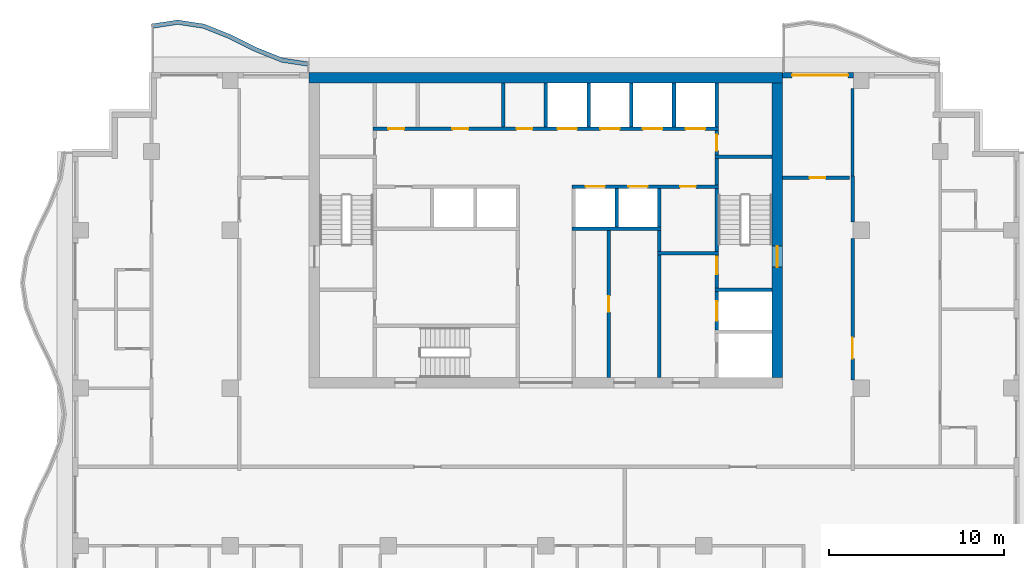
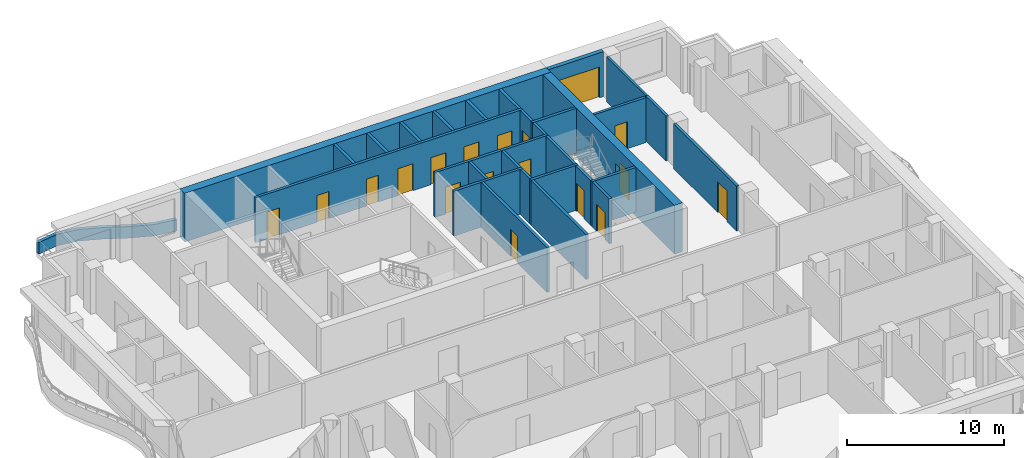
# One storey, part 6 of 12: 30 walls, 18 doors, 18 openings.
"""IFC4 building model written with IfcOpenShell, lengths in metres."""

from ifc_helpers import new_model, si_unit, direction, frame, frame_2d, origin, place, context, subcontext, project, spatial, polyline, rectangle, outline, extrude, material, layer, layer_set, type_object, element, fill, save


model = new_model("IFC4")

# Units and contexts
model_context = context("Model", 3, precision=1e-05, world=origin(), true_north=direction((0.0, 1.0)))
body_context = subcontext(model_context, "Body", "Model", "MODEL_VIEW")
ifc_project = project(units=[si_unit("LENGTHUNIT", "METRE"), si_unit("AREAUNIT", "SQUARE_METRE"), si_unit("VOLUMEUNIT", "CUBIC_METRE"), si_unit("PLANEANGLEUNIT", "RADIAN"), si_unit("MASSUNIT", "GRAM", prefix="KILO")], contexts=[model_context])

# Site, building, storey
site_placement = place(None, origin())
site = spatial("IfcSite", under=ifc_project, at=site_placement, CompositionType="ELEMENT")
building_placement = place(site_placement, origin())
building = spatial("IfcBuilding", under=site, at=building_placement, Name="Orbiselva Terraces", CompositionType="ELEMENT")
storey_placement = place(building_placement, frame((0.0, 0.0, 265.4)))
storey = spatial("IfcBuildingStorey", under=building, at=storey_placement, Name="L67", CompositionType="ELEMENT", Elevation=265.4)

# Wall, opening, door
ifc_material_1 = material(Name="Concrete C80/95", Category="concrete")
ifc_layer_1 = layer(ifc_material_1, 0.6)
ifc_layer_set_1 = layer_set([ifc_layer_1], Name="Concrete C80/95")
wall_type_1 = type_object("IfcWallType", Name="CORE WALL 600", PredefinedType="SHEAR", material=ifc_layer_set_1)
wall_1_placement = place(storey_placement, frame((13.2, 5.1, -0.3), z_axis=(0.0, 0.0, 1.0), x_axis=(0.0, 1.0, 0.0)))
wall_1 = element("IfcWall", 1, at=wall_1_placement, inside=storey, type_object=wall_type_1, Name="Core wall L67 east", PredefinedType="SHEAR", context=body_context, shape_type="SweptSolid", body=[
    extrude(rectangle(XDim=16.8, YDim=0.6, at=frame_2d((8.4, 0.0))), origin(), (0.0, 0.0, 1.0), 3.8),
])
opening_1_placement = place(wall_1_placement, frame((6.3, 0.0, 0.3)))
opening_1 = element("IfcOpeningElement", 2, at=opening_1_placement, cuts=wall_1, Name="Opening DS1200", PredefinedType="OPENING", context=body_context, shape_type="SweptSolid", body=[
    extrude(rectangle(XDim=1.2, YDim=2.2, at=frame_2d((0.6, 1.1))), frame((0.0, 0.31, 0.0), z_axis=(0.0, -1.0, 0.0), x_axis=(1.0, 0.0, 0.0)), (0.0, 0.0, 1.0), 0.62),
])
ifc_material_2 = material(Name="Steel fire door", Category="steel")
door_type_1 = type_object("IfcDoorType", Name="STAIR DOOR 1200", OperationType="NOTDEFINED", PredefinedType="DOOR", material=ifc_material_2)
door_1_placement = place(opening_1_placement, frame((1.2, 0.0, 0.0), z_axis=(0.0, 0.0, 1.0), x_axis=(-1.0, 0.0, 0.0)))
door_1 = element("IfcDoor", 3, at=door_1_placement, inside=storey, type_object=door_type_1, Name="L67 EXIT STAIR S2 door", OperationType="SINGLE_SWING_LEFT", OverallHeight=2.2, OverallWidth=1.2, PredefinedType="DOOR", context=body_context, shape_type="SweptSolid", body=[
    extrude(rectangle(XDim=1.2, YDim=2.2, at=frame_2d((0.6, 1.1))), frame((0.0, 0.025, 0.0), z_axis=(0.0, -1.0, 0.0), x_axis=(1.0, 0.0, 0.0)), (0.0, 0.0, 1.0), 0.05),
])
fill(opening_1, door_1)

# Walls
ifc_layer_2 = layer(ifc_material_1, 0.6)
ifc_layer_set_2 = layer_set([ifc_layer_2], Name="Concrete C80/95")
wall_type_2 = type_object("IfcWallType", Name="CORE WALL 600 EXTERNAL", PredefinedType="SHEAR", material=ifc_layer_set_2)
wall_2_placement = place(storey_placement, frame((13.5, 22.2, -0.3), z_axis=(0.0, 0.0, 1.0), x_axis=(-1.0, 0.0, 0.0)))
element("IfcWall", 4, at=wall_2_placement, inside=storey, type_object=wall_type_2, Name="Core wall L67 north", PredefinedType="SHEAR", context=body_context, shape_type="SweptSolid", body=[
    extrude(rectangle(XDim=27.0, YDim=0.6, at=frame_2d((13.5, 0.0))), origin(), (0.0, 0.0, 1.0), 3.8),
])
ifc_material_3 = material(Name="Masonry blockwork", Category="masonry")
ifc_layer_3 = layer(ifc_material_3, 0.2)
ifc_layer_set_3 = layer_set([ifc_layer_3], Name="Masonry blockwork")
wall_type_3 = type_object("IfcWallType", Name="CORE-WALL-PARTITION-200", PredefinedType="PARTITIONING", material=ifc_layer_set_3)
wall_3_placement = place(storey_placement, frame((-2.4375, 19.4, 0.0), z_axis=(0.0, 0.0, 1.0), x_axis=(0.0, 1.0, 0.0)))
element("IfcWall", 5, at=wall_3_placement, inside=storey, type_object=wall_type_3, Name="L67 core wall 17", PredefinedType="PARTITIONING", context=body_context, shape_type="SweptSolid", body=[
    extrude(rectangle(XDim=2.5, YDim=0.2, at=frame_2d((1.25, 0.0))), origin(), (0.0, 0.0, 1.0), 3.5),
])

# Wall, opening, door
wall_4_placement = place(storey_placement, frame((3.6, 13.5, 0.0), z_axis=(0.0, 0.0, 1.0), x_axis=(0.0, -1.0, 0.0)))
wall_4 = element("IfcWall", 6, at=wall_4_placement, inside=storey, type_object=wall_type_3, Name="L67 core wall 27", PredefinedType="PARTITIONING", context=body_context, shape_type="SweptSolid", body=[
    extrude(rectangle(XDim=8.4, YDim=0.2, at=frame_2d((4.2, 0.0))), origin(), (0.0, 0.0, 1.0), 3.5),
])
opening_2_placement = place(wall_4_placement, frame((3.75, 0.0, 0.0)))
opening_2 = element("IfcOpeningElement", 7, at=opening_2_placement, cuts=wall_4, Name="Opening DR900", PredefinedType="OPENING", context=body_context, shape_type="SweptSolid", body=[
    extrude(rectangle(XDim=0.9, YDim=2.1, at=frame_2d((0.45, 1.05))), frame((0.0, 0.11, 0.0), z_axis=(0.0, -1.0, 0.0), x_axis=(1.0, 0.0, 0.0)), (0.0, 0.0, 1.0), 0.22),
])
door_type_2 = type_object("IfcDoorType", Name="ROOM DOOR 900", OperationType="NOTDEFINED", PredefinedType="DOOR", material=ifc_material_2)
door_2_placement = place(opening_2_placement, origin())
door_2 = element("IfcDoor", 8, at=door_2_placement, inside=storey, type_object=door_type_2, Name="L67 SERVICE ROOM door", OperationType="SINGLE_SWING_RIGHT", OverallHeight=2.1, OverallWidth=0.9, PredefinedType="DOOR", context=body_context, shape_type="SweptSolid", body=[
    extrude(rectangle(XDim=0.9, YDim=2.1, at=frame_2d((0.45, 1.05))), frame((0.0, 0.025, 0.0), z_axis=(0.0, -1.0, 0.0), x_axis=(1.0, 0.0, 0.0)), (0.0, 0.0, 1.0), 0.05),
])
fill(opening_2, door_2)

# Wall
wall_5_placement = place(storey_placement, frame((6.475, 12.3, 0.0), z_axis=(0.0, 0.0, 1.0), x_axis=(0.0, 1.0, 0.0)))
element("IfcWall", 9, at=wall_5_placement, inside=storey, type_object=wall_type_3, Name="L67 core wall 32", PredefinedType="PARTITIONING", context=body_context, shape_type="SweptSolid", body=[
    extrude(rectangle(XDim=1.2, YDim=0.2, at=frame_2d((0.6, 0.0))), origin(), (0.0, 0.0, 1.0), 3.5),
])

# Wall, opening, door
wall_6_placement = place(storey_placement, frame((9.75, 19.2, 0.0), z_axis=(0.0, 0.0, 1.0), x_axis=(0.0, -1.0, 0.0)))
wall_6 = element("IfcWall", 10, at=wall_6_placement, inside=storey, type_object=wall_type_3, Name="L67 core wall 43", PredefinedType="PARTITIONING", context=body_context, shape_type="SweptSolid", body=[
    extrude(rectangle(XDim=1.4, YDim=0.2, at=frame_2d((0.7, 0.0))), origin(), (0.0, 0.0, 1.0), 3.5),
])
opening_3_placement = place(wall_6_placement, frame((0.25, 0.0, 0.0)))
opening_3 = element("IfcOpeningElement", 11, at=opening_3_placement, cuts=wall_6, Name="Opening DR900", PredefinedType="OPENING", context=body_context, shape_type="SweptSolid", body=[
    extrude(rectangle(XDim=0.9, YDim=2.1, at=frame_2d((0.45, 1.05))), frame((0.0, 0.11, 0.0), z_axis=(0.0, -1.0, 0.0), x_axis=(1.0, 0.0, 0.0)), (0.0, 0.0, 1.0), 0.22),
])
door_3_placement = place(opening_3_placement, origin())
door_3 = element("IfcDoor", 12, at=door_3_placement, inside=storey, type_object=door_type_2, Name="L67 ELECTRICAL RISER ROOM door", OperationType="SINGLE_SWING_RIGHT", OverallHeight=2.1, OverallWidth=0.9, PredefinedType="DOOR", context=body_context, shape_type="SweptSolid", body=[
    extrude(rectangle(XDim=0.9, YDim=2.1, at=frame_2d((0.45, 1.05))), frame((0.0, 0.025, 0.0), z_axis=(0.0, -1.0, 0.0), x_axis=(1.0, 0.0, 0.0)), (0.0, 0.0, 1.0), 0.05),
])
fill(opening_3, door_3)

# Walls
ifc_material_4 = material(Name="Concrete C40/50", Category="concrete")
ifc_layer_4 = layer(ifc_material_4, 0.2)
ifc_layer_set_4 = layer_set([ifc_layer_4], Name="Concrete C40/50")
wall_type_4 = type_object("IfcWallType", Name="CORE-WALL-SHAFT-200", PredefinedType="PARTITIONING", material=ifc_layer_set_4)
for number, where, z_axis, x_axis, name in (
    (13, (0.0, 19.4, 0.0), (0.0, 0.0, 1.0), (0.0, 1.0, 0.0), "L67 core wall 21"),
    (14, (2.4375, 19.4, 0.0), (0.0, 0.0, 1.0), (0.0, 1.0, 0.0), "L67 core wall 26"),
):
    element("IfcWall", number, at=place(storey_placement, frame(where, z_axis=z_axis, x_axis=x_axis)), inside=storey, type_object=wall_type_4, Name=name, PredefinedType="PARTITIONING", context=body_context, shape_type="SweptSolid", body=[
        extrude(rectangle(XDim=2.5, YDim=0.2, at=frame_2d((1.25, 0.0))), origin(), (0.0, 0.0, 1.0), 3.5),
    ])
wall_7_placement = place(storey_placement, frame((4.0375, 13.7, 0.0), z_axis=(0.0, 0.0, 1.0), x_axis=(0.0, 1.0, 0.0)))
element("IfcWall", 15, at=wall_7_placement, inside=storey, type_object=wall_type_4, Name="L67 core wall 28", PredefinedType="PARTITIONING", context=body_context, shape_type="SweptSolid", body=[
    extrude(rectangle(XDim=2.2, YDim=0.2, at=frame_2d((1.1, 0.0))), origin(), (0.0, 0.0, 1.0), 3.5),
])
wall_8_placement = place(storey_placement, frame((4.875, 19.4, 0.0), z_axis=(0.0, 0.0, 1.0), x_axis=(0.0, 1.0, 0.0)))
element("IfcWall", 16, at=wall_8_placement, inside=storey, type_object=wall_type_4, Name="L67 core wall 29", PredefinedType="PARTITIONING", context=body_context, shape_type="SweptSolid", body=[
    extrude(rectangle(XDim=2.5, YDim=0.2, at=frame_2d((1.25, 0.0))), origin(), (0.0, 0.0, 1.0), 3.5),
])
wall_9_placement = place(storey_placement, frame((6.475, 13.7, 0.0), z_axis=(0.0, 0.0, 1.0), x_axis=(0.0, 1.0, 0.0)))
element("IfcWall", 17, at=wall_9_placement, inside=storey, type_object=wall_type_4, Name="L67 core wall 33", PredefinedType="PARTITIONING", context=body_context, shape_type="SweptSolid", body=[
    extrude(rectangle(XDim=2.2, YDim=0.2, at=frame_2d((1.1, 0.0))), origin(), (0.0, 0.0, 1.0), 3.5),
])
for number, where, z_axis, x_axis, name in (
    (18, (7.3125, 19.4, 0.0), (0.0, 0.0, 1.0), (0.0, 1.0, 0.0), "L67 core wall 34"),
    (19, (9.75, 19.4, 0.0), (0.0, 0.0, 1.0), (0.0, 1.0, 0.0), "L67 core wall 44"),
):
    element("IfcWall", number, at=place(storey_placement, frame(where, z_axis=z_axis, x_axis=x_axis)), inside=storey, type_object=wall_type_4, Name=name, PredefinedType="PARTITIONING", context=body_context, shape_type="SweptSolid", body=[
        extrude(rectangle(XDim=2.5, YDim=0.2, at=frame_2d((1.25, 0.0))), origin(), (0.0, 0.0, 1.0), 3.5),
    ])

# Wall, openings, doors
ifc_material_5 = material(Name="Concrete C60/75", Category="concrete")
ifc_layer_5 = layer(ifc_material_5, 0.2)
ifc_layer_set_5 = layer_set([ifc_layer_5], Name="Concrete C60/75")
wall_type_5 = type_object("IfcWallType", Name="CORE-WALL-SHEAR-200", PredefinedType="SHEAR", material=ifc_layer_set_5)
wall_10_placement = place(storey_placement, frame((-9.85, 19.3, 0.0), z_axis=(0.0, 0.0, 1.0), x_axis=(1.0, 0.0, 0.0)))
wall_10 = element("IfcWall", 20, at=wall_10_placement, inside=storey, type_object=wall_type_5, Name="L67 core wall 12", PredefinedType="SHEAR", context=body_context, shape_type="SweptSolid", body=[
    extrude(rectangle(XDim=19.7, YDim=0.2, at=frame_2d((9.85, 0.0))), origin(), (0.0, 0.0, 1.0), 3.5),
])
opening_4_placement = place(wall_10_placement, frame((10.51875, 0.0, 0.0)))
opening_4 = element("IfcOpeningElement", 21, at=opening_4_placement, cuts=wall_10, Name="Opening LD-HR1", PredefinedType="OPENING", context=body_context, shape_type="SweptSolid", body=[
    extrude(rectangle(XDim=1.1, YDim=2.1, at=frame_2d((0.55, 1.05))), frame((0.0, 0.11, 0.0), z_axis=(0.0, -1.0, 0.0), x_axis=(1.0, 0.0, 0.0)), (0.0, 0.0, 1.0), 0.22),
])
opening_5_placement = place(wall_10_placement, frame((12.95625, 0.0, 0.0)))
opening_5 = element("IfcOpeningElement", 22, at=opening_5_placement, cuts=wall_10, Name="Opening LD-HR2", PredefinedType="OPENING", context=body_context, shape_type="SweptSolid", body=[
    extrude(rectangle(XDim=1.1, YDim=2.1, at=frame_2d((0.55, 1.05))), frame((0.0, 0.11, 0.0), z_axis=(0.0, -1.0, 0.0), x_axis=(1.0, 0.0, 0.0)), (0.0, 0.0, 1.0), 0.22),
])
opening_6_placement = place(wall_10_placement, frame((15.39375, 0.0, 0.0)))
opening_6 = element("IfcOpeningElement", 23, at=opening_6_placement, cuts=wall_10, Name="Opening LD-HR3", PredefinedType="OPENING", context=body_context, shape_type="SweptSolid", body=[
    extrude(rectangle(XDim=1.1, YDim=2.1, at=frame_2d((0.55, 1.05))), frame((0.0, 0.11, 0.0), z_axis=(0.0, -1.0, 0.0), x_axis=(1.0, 0.0, 0.0)), (0.0, 0.0, 1.0), 0.22),
])
opening_7_placement = place(wall_10_placement, frame((17.83125, 0.0, 0.0)))
opening_7 = element("IfcOpeningElement", 24, at=opening_7_placement, cuts=wall_10, Name="Opening LD-HR4", PredefinedType="OPENING", context=body_context, shape_type="SweptSolid", body=[
    extrude(rectangle(XDim=1.1, YDim=2.1, at=frame_2d((0.55, 1.05))), frame((0.0, 0.11, 0.0), z_axis=(0.0, -1.0, 0.0), x_axis=(1.0, 0.0, 0.0)), (0.0, 0.0, 1.0), 0.22),
])
opening_8_placement = place(wall_10_placement, frame((0.8688, 0.0, 0.0)))
opening_8 = element("IfcOpeningElement", 25, at=opening_8_placement, cuts=wall_10, Name="Opening DR900", PredefinedType="OPENING", context=body_context, shape_type="SweptSolid", body=[
    extrude(rectangle(XDim=0.9, YDim=2.1, at=frame_2d((0.45, 1.05))), frame((0.0, 0.11, 0.0), z_axis=(0.0, -1.0, 0.0), x_axis=(1.0, 0.0, 0.0)), (0.0, 0.0, 1.0), 0.22),
])
opening_9_placement = place(wall_10_placement, frame((4.525, 0.0, 0.0)))
opening_9 = element("IfcOpeningElement", 26, at=opening_9_placement, cuts=wall_10, Name="Opening DR900", PredefinedType="OPENING", context=body_context, shape_type="SweptSolid", body=[
    extrude(rectangle(XDim=0.9, YDim=2.1, at=frame_2d((0.45, 1.05))), frame((0.0, 0.11, 0.0), z_axis=(0.0, -1.0, 0.0), x_axis=(1.0, 0.0, 0.0)), (0.0, 0.0, 1.0), 0.22),
])
opening_10_placement = place(wall_10_placement, frame((8.1812, 0.0, 0.0)))
opening_10 = element("IfcOpeningElement", 27, at=opening_10_placement, cuts=wall_10, Name="Opening DR900", PredefinedType="OPENING", context=body_context, shape_type="SweptSolid", body=[
    extrude(rectangle(XDim=0.9, YDim=2.1, at=frame_2d((0.45, 1.05))), frame((0.0, 0.11, 0.0), z_axis=(0.0, -1.0, 0.0), x_axis=(1.0, 0.0, 0.0)), (0.0, 0.0, 1.0), 0.22),
])
ifc_material_6 = material(Name="Stainless steel landing door", Category="steel")
door_type_3 = type_object("IfcDoorType", Name="LANDING DOOR 1100", OperationType="SLIDING_TO_LEFT", PredefinedType="DOOR", material=ifc_material_6)
door_4_placement = place(opening_4_placement, origin())
door_4 = element("IfcDoor", 28, at=door_4_placement, inside=storey, type_object=door_type_3, Name="L67 landing door HR1", OperationType="SLIDING_TO_RIGHT", OverallHeight=2.1, OverallWidth=1.1, PredefinedType="DOOR", context=body_context, shape_type="SweptSolid", body=[
    extrude(rectangle(XDim=1.1, YDim=2.1, at=frame_2d((0.55, 1.05))), frame((0.0, 0.025, 0.0), z_axis=(0.0, -1.0, 0.0), x_axis=(1.0, 0.0, 0.0)), (0.0, 0.0, 1.0), 0.05),
])
fill(opening_4, door_4)
door_5_placement = place(opening_5_placement, origin())
door_5 = element("IfcDoor", 29, at=door_5_placement, inside=storey, type_object=door_type_3, Name="L67 landing door HR2", OperationType="SLIDING_TO_RIGHT", OverallHeight=2.1, OverallWidth=1.1, PredefinedType="DOOR", context=body_context, shape_type="SweptSolid", body=[
    extrude(rectangle(XDim=1.1, YDim=2.1, at=frame_2d((0.55, 1.05))), frame((0.0, 0.025, 0.0), z_axis=(0.0, -1.0, 0.0), x_axis=(1.0, 0.0, 0.0)), (0.0, 0.0, 1.0), 0.05),
])
fill(opening_5, door_5)
door_6_placement = place(opening_6_placement, origin())
door_6 = element("IfcDoor", 30, at=door_6_placement, inside=storey, type_object=door_type_3, Name="L67 landing door HR3", OperationType="SLIDING_TO_RIGHT", OverallHeight=2.1, OverallWidth=1.1, PredefinedType="DOOR", context=body_context, shape_type="SweptSolid", body=[
    extrude(rectangle(XDim=1.1, YDim=2.1, at=frame_2d((0.55, 1.05))), frame((0.0, 0.025, 0.0), z_axis=(0.0, -1.0, 0.0), x_axis=(1.0, 0.0, 0.0)), (0.0, 0.0, 1.0), 0.05),
])
fill(opening_6, door_6)
door_7_placement = place(opening_7_placement, origin())
door_7 = element("IfcDoor", 31, at=door_7_placement, inside=storey, type_object=door_type_3, Name="L67 landing door HR4", OperationType="SLIDING_TO_RIGHT", OverallHeight=2.1, OverallWidth=1.1, PredefinedType="DOOR", context=body_context, shape_type="SweptSolid", body=[
    extrude(rectangle(XDim=1.1, YDim=2.1, at=frame_2d((0.55, 1.05))), frame((0.0, 0.025, 0.0), z_axis=(0.0, -1.0, 0.0), x_axis=(1.0, 0.0, 0.0)), (0.0, 0.0, 1.0), 0.05),
])
fill(opening_7, door_7)
door_8_placement = place(opening_8_placement, origin())
door_8 = element("IfcDoor", 32, at=door_8_placement, inside=storey, type_object=door_type_2, Name="L67 STORE door", OperationType="SINGLE_SWING_LEFT", OverallHeight=2.1, OverallWidth=0.9, PredefinedType="DOOR", context=body_context, shape_type="SweptSolid", body=[
    extrude(rectangle(XDim=0.9, YDim=2.1, at=frame_2d((0.45, 1.05))), frame((0.0, 0.025, 0.0), z_axis=(0.0, -1.0, 0.0), x_axis=(1.0, 0.0, 0.0)), (0.0, 0.0, 1.0), 0.05),
])
fill(opening_8, door_8)
door_9_placement = place(opening_9_placement, origin())
door_9 = element("IfcDoor", 33, at=door_9_placement, inside=storey, type_object=door_type_2, Name="L67 IT ROOM door", OperationType="SINGLE_SWING_LEFT", OverallHeight=2.1, OverallWidth=0.9, PredefinedType="DOOR", context=body_context, shape_type="SweptSolid", body=[
    extrude(rectangle(XDim=0.9, YDim=2.1, at=frame_2d((0.45, 1.05))), frame((0.0, 0.025, 0.0), z_axis=(0.0, -1.0, 0.0), x_axis=(1.0, 0.0, 0.0)), (0.0, 0.0, 1.0), 0.05),
])
fill(opening_9, door_9)
door_10_placement = place(opening_10_placement, origin())
door_10 = element("IfcDoor", 34, at=door_10_placement, inside=storey, type_object=door_type_2, Name="L67 CLEANERS STORE door", OperationType="SINGLE_SWING_LEFT", OverallHeight=2.1, OverallWidth=0.9, PredefinedType="DOOR", context=body_context, shape_type="SweptSolid", body=[
    extrude(rectangle(XDim=0.9, YDim=2.1, at=frame_2d((0.45, 1.05))), frame((0.0, 0.025, 0.0), z_axis=(0.0, -1.0, 0.0), x_axis=(1.0, 0.0, 0.0)), (0.0, 0.0, 1.0), 0.05),
])
fill(opening_10, door_10)

# Wall
wall_11_placement = place(storey_placement, frame((1.5, 13.6, 0.0), z_axis=(0.0, 0.0, 1.0), x_axis=(1.0, 0.0, 0.0)))
element("IfcWall", 35, at=wall_11_placement, inside=storey, type_object=wall_type_5, Name="L67 core wall 23", PredefinedType="SHEAR", context=body_context, shape_type="SweptSolid", body=[
    extrude(rectangle(XDim=5.075, YDim=0.2, at=frame_2d((2.5375, 0.0))), origin(), (0.0, 0.0, 1.0), 3.5),
])

# Wall, openings, doors
wall_12_placement = place(storey_placement, frame((9.85, 16.0, 0.0), z_axis=(0.0, 0.0, 1.0), x_axis=(-1.0, 0.0, 0.0)))
wall_12 = element("IfcWall", 36, at=wall_12_placement, inside=storey, type_object=wall_type_5, Name="L67 core wall 25", PredefinedType="SHEAR", context=body_context, shape_type="SweptSolid", body=[
    extrude(rectangle(XDim=8.35, YDim=0.2, at=frame_2d((4.175, 0.0))), origin(), (0.0, 0.0, 1.0), 3.5),
])
opening_11_placement = place(wall_12_placement, frame((6.48125, 0.0, 0.0)))
opening_11 = element("IfcOpeningElement", 37, at=opening_11_placement, cuts=wall_12, Name="Opening LD-HR5", PredefinedType="OPENING", context=body_context, shape_type="SweptSolid", body=[
    extrude(rectangle(XDim=1.1, YDim=2.1, at=frame_2d((0.55, 1.05))), frame((0.0, 0.11, 0.0), z_axis=(0.0, -1.0, 0.0), x_axis=(1.0, 0.0, 0.0)), (0.0, 0.0, 1.0), 0.22),
])
opening_12_placement = place(wall_12_placement, frame((4.04375, 0.0, 0.0)))
opening_12 = element("IfcOpeningElement", 38, at=opening_12_placement, cuts=wall_12, Name="Opening LD-HR6", PredefinedType="OPENING", context=body_context, shape_type="SweptSolid", body=[
    extrude(rectangle(XDim=1.1, YDim=2.1, at=frame_2d((0.55, 1.05))), frame((0.0, 0.11, 0.0), z_axis=(0.0, -1.0, 0.0), x_axis=(1.0, 0.0, 0.0)), (0.0, 0.0, 1.0), 0.22),
])
opening_13_placement = place(wall_12_placement, frame((1.2875, 0.0, 0.0)))
opening_13 = element("IfcOpeningElement", 39, at=opening_13_placement, cuts=wall_12, Name="Opening DR900", PredefinedType="OPENING", context=body_context, shape_type="SweptSolid", body=[
    extrude(rectangle(XDim=0.9, YDim=2.1, at=frame_2d((0.45, 1.05))), frame((0.0, 0.11, 0.0), z_axis=(0.0, -1.0, 0.0), x_axis=(1.0, 0.0, 0.0)), (0.0, 0.0, 1.0), 0.22),
])
door_11_placement = place(opening_11_placement, origin())
door_11 = element("IfcDoor", 40, at=door_11_placement, inside=storey, type_object=door_type_3, Name="L67 landing door HR5", OperationType="SLIDING_TO_RIGHT", OverallHeight=2.1, OverallWidth=1.1, PredefinedType="DOOR", context=body_context, shape_type="SweptSolid", body=[
    extrude(rectangle(XDim=1.1, YDim=2.1, at=frame_2d((0.55, 1.05))), frame((0.0, 0.025, 0.0), z_axis=(0.0, -1.0, 0.0), x_axis=(1.0, 0.0, 0.0)), (0.0, 0.0, 1.0), 0.05),
])
fill(opening_11, door_11)
door_12_placement = place(opening_12_placement, origin())
door_12 = element("IfcDoor", 41, at=door_12_placement, inside=storey, type_object=door_type_3, Name="L67 landing door HR6", OperationType="SLIDING_TO_RIGHT", OverallHeight=2.1, OverallWidth=1.1, PredefinedType="DOOR", context=body_context, shape_type="SweptSolid", body=[
    extrude(rectangle(XDim=1.1, YDim=2.1, at=frame_2d((0.55, 1.05))), frame((0.0, 0.025, 0.0), z_axis=(0.0, -1.0, 0.0), x_axis=(1.0, 0.0, 0.0)), (0.0, 0.0, 1.0), 0.05),
])
fill(opening_12, door_12)
door_13_placement = place(opening_13_placement, origin())
door_13 = element("IfcDoor", 42, at=door_13_placement, inside=storey, type_object=door_type_2, Name="L67 PIPE RISER ROOM door", OperationType="SINGLE_SWING_LEFT", OverallHeight=2.1, OverallWidth=0.9, PredefinedType="DOOR", context=body_context, shape_type="SweptSolid", body=[
    extrude(rectangle(XDim=0.9, YDim=2.1, at=frame_2d((0.45, 1.05))), frame((0.0, 0.025, 0.0), z_axis=(0.0, -1.0, 0.0), x_axis=(1.0, 0.0, 0.0)), (0.0, 0.0, 1.0), 0.05),
])
fill(opening_13, door_13)

# Walls
wall_13_placement = place(storey_placement, frame((6.475, 5.1, 0.0), z_axis=(0.0, 0.0, 1.0), x_axis=(0.0, 1.0, 0.0)))
element("IfcWall", 43, at=wall_13_placement, inside=storey, type_object=wall_type_5, Name="L67 core wall 30", PredefinedType="SHEAR", context=body_context, shape_type="SweptSolid", body=[
    extrude(rectangle(XDim=7.0, YDim=0.2, at=frame_2d((3.5, 0.0))), origin(), (0.0, 0.0, 1.0), 3.5),
])
wall_14_placement = place(storey_placement, frame((6.375, 12.2, 0.0), z_axis=(0.0, 0.0, 1.0), x_axis=(1.0, 0.0, 0.0)))
element("IfcWall", 44, at=wall_14_placement, inside=storey, type_object=wall_type_5, Name="L67 core wall 31", PredefinedType="SHEAR", context=body_context, shape_type="SweptSolid", body=[
    extrude(rectangle(XDim=3.475, YDim=0.2, at=frame_2d((1.7375, 0.0))), origin(), (0.0, 0.0, 1.0), 3.5),
])

# Wall, opening, door
wall_15_placement = place(storey_placement, frame((9.75, 7.8, 0.0), z_axis=(0.0, 0.0, 1.0), x_axis=(0.0, 1.0, 0.0)))
wall_15 = element("IfcWall", 45, at=wall_15_placement, inside=storey, type_object=wall_type_5, Name="L67 core wall 37", PredefinedType="SHEAR", context=body_context, shape_type="SweptSolid", body=[
    extrude(rectangle(XDim=2.2, YDim=0.2, at=frame_2d((1.1, 0.0))), origin(), (0.0, 0.0, 1.0), 3.5),
])
opening_14_placement = place(wall_15_placement, frame((0.55, 0.0, 0.0)))
opening_14 = element("IfcOpeningElement", 46, at=opening_14_placement, cuts=wall_15, Name="Opening LD-FF2", PredefinedType="OPENING", context=body_context, shape_type="SweptSolid", body=[
    extrude(rectangle(XDim=1.1, YDim=2.1, at=frame_2d((0.55, 1.05))), frame((0.0, 0.11, 0.0), z_axis=(0.0, -1.0, 0.0), x_axis=(1.0, 0.0, 0.0)), (0.0, 0.0, 1.0), 0.22),
])
door_14_placement = place(opening_14_placement, origin())
door_14 = element("IfcDoor", 47, at=door_14_placement, inside=storey, type_object=door_type_3, Name="L67 landing door FF2", OperationType="SLIDING_TO_RIGHT", OverallHeight=2.1, OverallWidth=1.1, PredefinedType="DOOR", context=body_context, shape_type="SweptSolid", body=[
    extrude(rectangle(XDim=1.1, YDim=2.1, at=frame_2d((0.55, 1.05))), frame((0.0, 0.025, 0.0), z_axis=(0.0, -1.0, 0.0), x_axis=(1.0, 0.0, 0.0)), (0.0, 0.0, 1.0), 0.05),
])
fill(opening_14, door_14)

# Wall
wall_16_placement = place(storey_placement, frame((9.65, 10.1, 0.0), z_axis=(0.0, 0.0, 1.0), x_axis=(1.0, 0.0, 0.0)))
element("IfcWall", 48, at=wall_16_placement, inside=storey, type_object=wall_type_5, Name="L67 core wall 38", PredefinedType="SHEAR", context=body_context, shape_type="SweptSolid", body=[
    extrude(rectangle(XDim=3.25, YDim=0.2, at=frame_2d((1.625, 0.0))), origin(), (0.0, 0.0, 1.0), 3.5),
])

# Wall, opening, door
wall_17_placement = place(storey_placement, frame((9.75, 12.1, 0.0), z_axis=(0.0, 0.0, 1.0), x_axis=(0.0, -1.0, 0.0)))
wall_17 = element("IfcWall", 49, at=wall_17_placement, inside=storey, type_object=wall_type_5, Name="L67 core wall 39", PredefinedType="SHEAR", context=body_context, shape_type="SweptSolid", body=[
    extrude(rectangle(XDim=1.9, YDim=0.2, at=frame_2d((0.95, 0.0))), origin(), (0.0, 0.0, 1.0), 3.5),
])
opening_15_placement = place(wall_17_placement, frame((0.1, 0.0, 0.0)))
opening_15 = element("IfcOpeningElement", 50, at=opening_15_placement, cuts=wall_17, Name="Opening DS1000", PredefinedType="OPENING", context=body_context, shape_type="SweptSolid", body=[
    extrude(rectangle(XDim=1.0, YDim=2.2, at=frame_2d((0.5, 1.1))), frame((0.0, 0.11, 0.0), z_axis=(0.0, -1.0, 0.0), x_axis=(1.0, 0.0, 0.0)), (0.0, 0.0, 1.0), 0.22),
])
door_type_4 = type_object("IfcDoorType", Name="STAIR DOOR 1000", OperationType="NOTDEFINED", PredefinedType="DOOR", material=ifc_material_2)
door_15_placement = place(opening_15_placement, origin())
door_15 = element("IfcDoor", 51, at=door_15_placement, inside=storey, type_object=door_type_4, Name="L67 FIRE-FIGHTING LOBBY TO EXIT STAIR S2 door", OperationType="SINGLE_SWING_LEFT", OverallHeight=2.2, OverallWidth=1.0, PredefinedType="DOOR", context=body_context, shape_type="SweptSolid", body=[
    extrude(rectangle(XDim=1.0, YDim=2.2, at=frame_2d((0.5, 1.1))), frame((0.0, 0.025, 0.0), z_axis=(0.0, -1.0, 0.0), x_axis=(1.0, 0.0, 0.0)), (0.0, 0.0, 1.0), 0.05),
])
fill(opening_15, door_15)

# Walls
wall_18_placement = place(storey_placement, frame((9.75, 12.3, 0.0), z_axis=(0.0, 0.0, 1.0), x_axis=(0.0, 1.0, 0.0)))
element("IfcWall", 52, at=wall_18_placement, inside=storey, type_object=wall_type_5, Name="L67 core wall 40", PredefinedType="SHEAR", context=body_context, shape_type="SweptSolid", body=[
    extrude(rectangle(XDim=3.6, YDim=0.2, at=frame_2d((1.8, 0.0))), origin(), (0.0, 0.0, 1.0), 3.5),
])
wall_19_placement = place(storey_placement, frame((9.75, 16.1, 0.0), z_axis=(0.0, 0.0, 1.0), x_axis=(0.0, 1.0, 0.0)))
element("IfcWall", 53, at=wall_19_placement, inside=storey, type_object=wall_type_5, Name="L67 core wall 41", PredefinedType="SHEAR", context=body_context, shape_type="SweptSolid", body=[
    extrude(rectangle(XDim=1.5, YDim=0.2, at=frame_2d((0.75, 0.0))), origin(), (0.0, 0.0, 1.0), 3.5),
])
wall_20_placement = place(storey_placement, frame((9.65, 17.7, 0.0), z_axis=(0.0, 0.0, 1.0), x_axis=(1.0, 0.0, 0.0)))
element("IfcWall", 54, at=wall_20_placement, inside=storey, type_object=wall_type_5, Name="L67 core wall 42", PredefinedType="SHEAR", context=body_context, shape_type="SweptSolid", body=[
    extrude(rectangle(XDim=3.25, YDim=0.2, at=frame_2d((1.625, 0.0))), origin(), (0.0, 0.0, 1.0), 3.5),
])
ifc_layer_6 = layer(ifc_material_4, 0.25)
ifc_layer_set_6 = layer_set([ifc_layer_6], Name="Concrete C40/50")
wall_type_6 = type_object("IfcWallType", Name="ENV-PLANTER-250x900", PredefinedType="USERDEFINED", material=ifc_layer_set_6)
wall_21_placement = place(storey_placement, origin())
element("IfcWall", 55, at=wall_21_placement, inside=storey, type_object=wall_type_6, Name="Balcony planter L67 NW", ObjectType="PLANTER", PredefinedType="USERDEFINED", context=body_context, shape_type="SweptSolid", body=[
    extrude(outline(polyline([(-13.5, 23.1), (-15.0, 23.32918), (-16.5, 23.92918), (-18.0, 24.67082), (-19.5, 25.27082), (-21.0, 25.5), (-22.5, 25.27082), (-22.462242, 25.023688), (-21.0, 25.247099), (-19.566166, 25.028028), (-18.101983, 24.442355), (-16.601983, 23.700715), (-15.066166, 23.086388), (-13.537758, 22.852868), (-13.5, 23.1)])), origin(), (0.0, 0.0, 1.0), 0.9),
])

# Wall, opening, door
ifc_material_7 = material(Name="Terracotta cladding on masonry backing", Category="masonry")
ifc_layer_7 = layer(ifc_material_7, 0.3)
ifc_layer_set_7 = layer_set([ifc_layer_7], Name="Terracotta cladding on masonry backing")
wall_type_7 = type_object("IfcWallType", Name="ENV-WALL-TERRACOTTA-300", PredefinedType="SOLIDWALL", material=ifc_layer_set_7)
wall_22_placement = place(storey_placement, frame((13.5, 22.35, 0.0), z_axis=(0.0, 0.0, 1.0), x_axis=(1.0, 0.0, 0.0)))
wall_22 = element("IfcWall", 56, at=wall_22_placement, inside=storey, type_object=wall_type_7, Name="Facade wall L67 NE", PredefinedType="SOLIDWALL", context=body_context, shape_type="SweptSolid", body=[
    extrude(rectangle(XDim=4.05, YDim=0.3, at=frame_2d((2.025, 0.0))), origin(), (0.0, 0.0, 1.0), 3.5),
])
opening_16_placement = place(wall_22_placement, frame((0.55, 0.0, 0.0)))
opening_16 = element("IfcOpeningElement", 57, at=opening_16_placement, cuts=wall_22, Name="Opening Z5-C-E08", PredefinedType="OPENING", context=body_context, shape_type="SweptSolid", body=[
    extrude(rectangle(XDim=3.2, YDim=2.4, at=frame_2d((1.6, 1.2))), frame((0.0, 0.16, 0.0), z_axis=(0.0, -1.0, 0.0), x_axis=(1.0, 0.0, 0.0)), (0.0, 0.0, 1.0), 0.32),
])
ifc_material_8 = material(Name="Clear low-e glazing in aluminium frame", Category="aluminium")
door_type_5 = type_object("IfcDoorType", Name="BALCONY DOOR 3200 X 2400", OperationType="DOUBLE_DOOR_SLIDING", PredefinedType="DOOR", material=ifc_material_8)
door_16_placement = place(opening_16_placement, origin())
door_16 = element("IfcDoor", 58, at=door_16_placement, inside=storey, type_object=door_type_5, Name="Z5-C-E08", OperationType="SINGLE_SWING_LEFT", OverallHeight=2.4, OverallWidth=3.2, PredefinedType="DOOR", context=body_context, shape_type="SweptSolid", body=[
    extrude(rectangle(XDim=3.2, YDim=2.4, at=frame_2d((1.6, 1.2))), frame((0.0, 0.025, 0.0), z_axis=(0.0, -1.0, 0.0), x_axis=(1.0, 0.0, 0.0)), (0.0, 0.0, 1.0), 0.05),
])
fill(opening_16, door_16)

ifc_material_9 = material(Name="Plasterboard on steel stud partition", Category="steel")
ifc_layer_8 = layer(ifc_material_9, 0.2)
ifc_layer_set_8 = layer_set([ifc_layer_8], Name="Plasterboard on steel stud partition")
wall_type_8 = type_object("IfcWallType", Name="UNIT-ENTRANCE-WALL-200", PredefinedType="PARTITIONING", material=ifc_layer_set_8)
wall_23_placement = place(storey_placement, frame((13.5, 16.5, 0.0), z_axis=(0.0, 0.0, 1.0), x_axis=(1.0, 0.0, 0.0)))
wall_23 = element("IfcWall", 59, at=wall_23_placement, inside=storey, type_object=wall_type_8, Name="PARTITION L67-042", PredefinedType="PARTITIONING", context=body_context, shape_type="SweptSolid", body=[
    extrude(rectangle(XDim=3.825, YDim=0.2, at=frame_2d((1.9125, 0.0))), origin(), (0.0, 0.0, 1.0), 3.5),
])
opening_17_placement = place(wall_23_placement, frame((1.55, 0.0, 0.0)))
opening_17 = element("IfcOpeningElement", 60, at=opening_17_placement, cuts=wall_23, Name="Opening Z5-C-02", PredefinedType="OPENING", context=body_context, shape_type="SweptSolid", body=[
    extrude(rectangle(XDim=0.9, YDim=2.1, at=frame_2d((0.45, 1.05))), frame((0.0, 0.11, 0.0), z_axis=(0.0, -1.0, 0.0), x_axis=(1.0, 0.0, 0.0)), (0.0, 0.0, 1.0), 0.22),
])
ifc_material_10 = material(Name="Painted timber door leaf", Category="wood")
door_type_6 = type_object("IfcDoorType", Name="SERVICE DOOR 900", OperationType="NOTDEFINED", PredefinedType="DOOR", material=ifc_material_10)
door_17_placement = place(opening_17_placement, origin())
door_17 = element("IfcDoor", 61, at=door_17_placement, inside=storey, type_object=door_type_6, Name="Z5-C-02", OperationType="SINGLE_SWING_RIGHT", OverallHeight=2.1, OverallWidth=0.9, PredefinedType="DOOR", context=body_context, shape_type="SweptSolid", body=[
    extrude(rectangle(XDim=0.9, YDim=2.1, at=frame_2d((0.45, 1.05))), frame((0.0, 0.025, 0.0), z_axis=(0.0, -1.0, 0.0), x_axis=(1.0, 0.0, 0.0)), (0.0, 0.0, 1.0), 0.05),
])
fill(opening_17, door_17)

wall_24_placement = place(storey_placement, frame((17.5, 13.025, 0.0), z_axis=(0.0, 0.0, 1.0), x_axis=(0.0, -1.0, 0.0)))
wall_24 = element("IfcWall", 62, at=wall_24_placement, inside=storey, type_object=wall_type_8, Name="PARTITION L67-080", PredefinedType="PARTITIONING", context=body_context, shape_type="SweptSolid", body=[
    extrude(rectangle(XDim=8.05, YDim=0.2, at=frame_2d((4.025, 0.0))), origin(), (0.0, 0.0, 1.0), 3.5),
])
opening_18_placement = place(wall_24_placement, frame((5.65, 0.0, 0.0)))
opening_18 = element("IfcOpeningElement", 63, at=opening_18_placement, cuts=wall_24, Name="Opening Z5-C-09", PredefinedType="OPENING", context=body_context, shape_type="SweptSolid", body=[
    extrude(rectangle(XDim=1.2, YDim=2.4, at=frame_2d((0.6, 1.2))), frame((0.0, 0.11, 0.0), z_axis=(0.0, -1.0, 0.0), x_axis=(1.0, 0.0, 0.0)), (0.0, 0.0, 1.0), 0.22),
])
door_type_7 = type_object("IfcDoorType", Name="ENTRANCE DOOR 1200", OperationType="NOTDEFINED", PredefinedType="DOOR", material=ifc_material_10)
door_18_placement = place(opening_18_placement, origin())
door_18 = element("IfcDoor", 64, at=door_18_placement, inside=storey, type_object=door_type_7, Name="Z5-C-09", OperationType="SINGLE_SWING_RIGHT", OverallHeight=2.4, OverallWidth=1.2, PredefinedType="DOOR", context=body_context, shape_type="SweptSolid", body=[
    extrude(rectangle(XDim=1.2, YDim=2.4, at=frame_2d((0.6, 1.2))), frame((0.0, 0.025, 0.0), z_axis=(0.0, -1.0, 0.0), x_axis=(1.0, 0.0, 0.0)), (0.0, 0.0, 1.0), 0.05),
])
fill(opening_18, door_18)

# Walls
wall_25_placement = place(storey_placement, frame((17.5, 13.975, 0.0), z_axis=(0.0, 0.0, 1.0), x_axis=(0.0, 1.0, 0.0)))
element("IfcWall", 65, at=wall_25_placement, inside=storey, type_object=wall_type_8, Name="PARTITION L67-081", PredefinedType="PARTITIONING", context=body_context, shape_type="SweptSolid", body=[
    extrude(rectangle(XDim=2.625, YDim=0.2, at=frame_2d((1.3125, 0.0))), origin(), (0.0, 0.0, 1.0), 3.5),
])
ifc_layer_9 = layer(ifc_material_9, 0.15)
ifc_layer_set_9 = layer_set([ifc_layer_9], Name="Plasterboard on steel stud partition")
wall_type_9 = type_object("IfcWallType", Name="UNIT-PARTITION-150", PredefinedType="PARTITIONING", material=ifc_layer_set_9)
wall_26_placement = place(storey_placement, frame((17.5, 16.4, 0.0), z_axis=(0.0, 0.0, 1.0), x_axis=(0.0, 1.0, 0.0)))
element("IfcWall", 66, at=wall_26_placement, inside=storey, type_object=wall_type_9, Name="PARTITION L67-082", PredefinedType="PARTITIONING", context=body_context, shape_type="SweptSolid", body=[
    extrude(rectangle(XDim=5.2, YDim=0.15, at=frame_2d((2.6, 0.0))), origin(), (0.0, 0.0, 1.0), 3.5),
])

save(model, "model.ifc")
